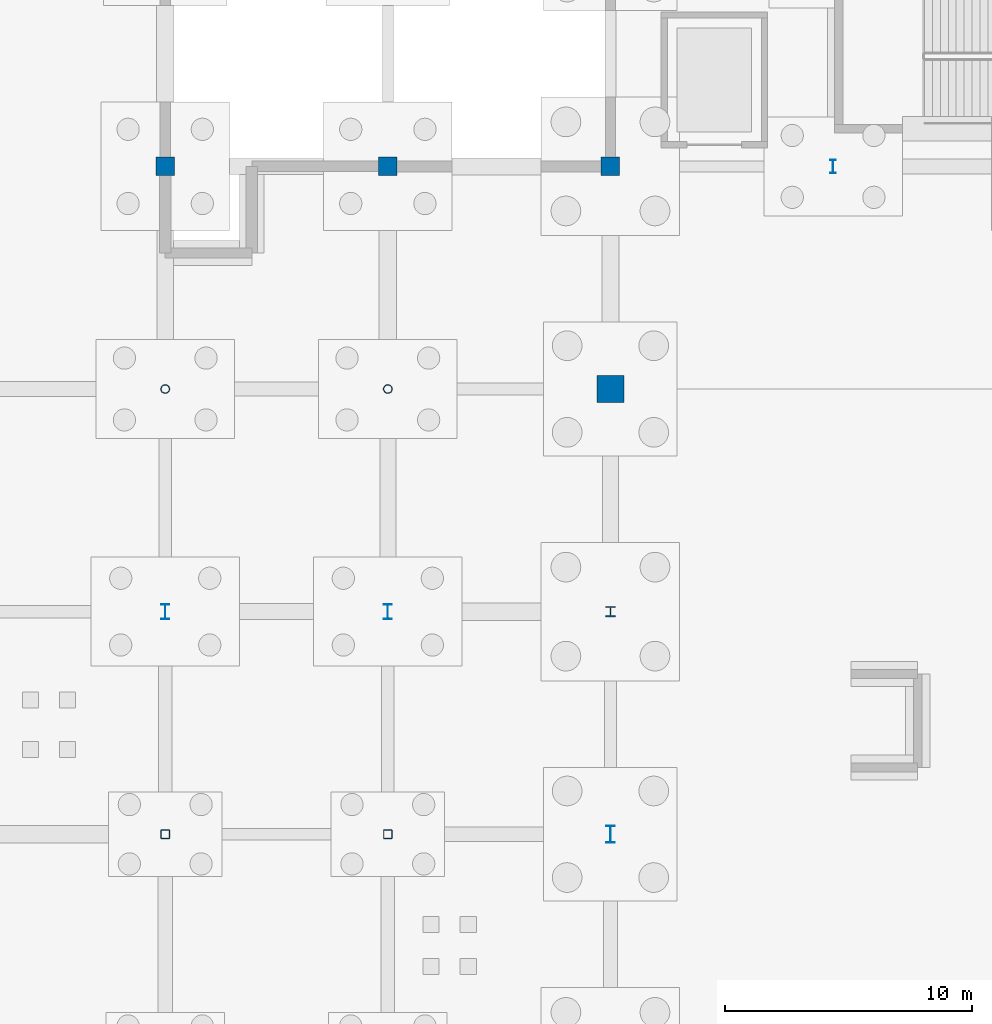
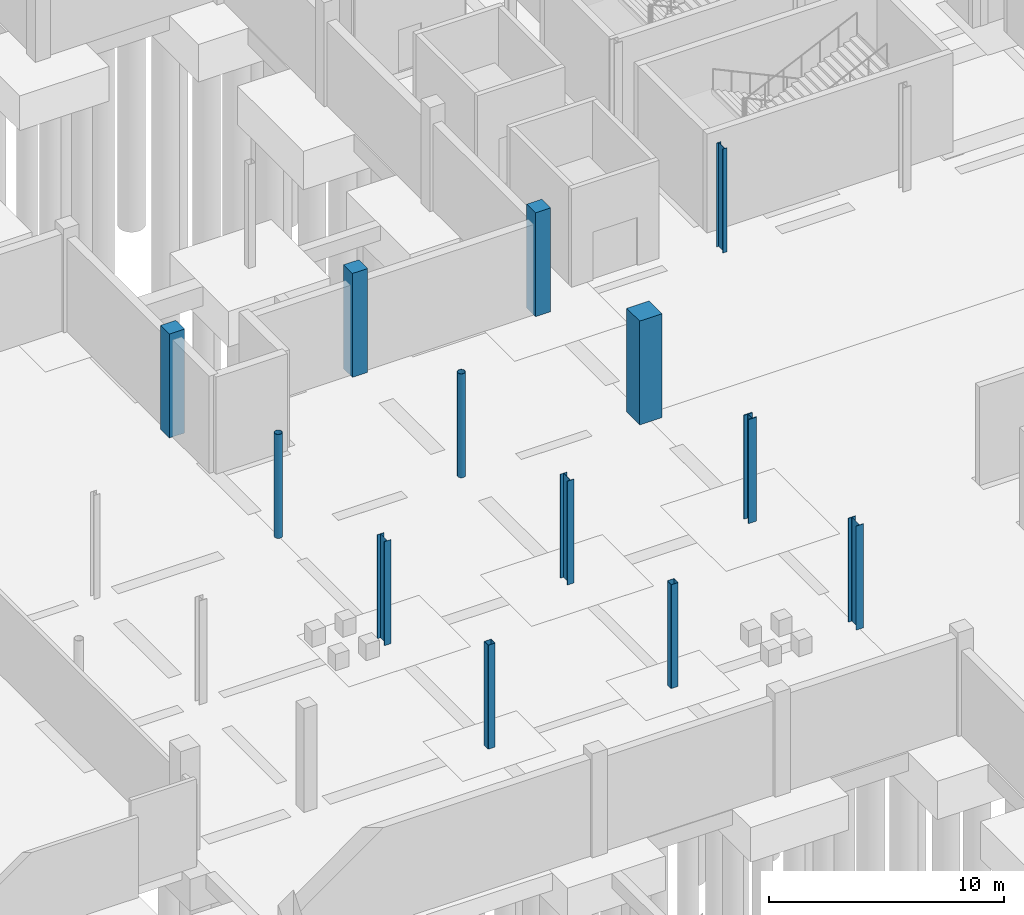
# One storey, part 28 of 58: 13 columns.
"""IFC4 building model written with IfcOpenShell, lengths in metres."""

from ifc_helpers import new_model, si_unit, direction, frame, origin, origin_2d, place, context, subcontext, project, spatial, rectangle, hollow_rectangle, hollow_circle, i_section, extrude, material, material_profile, profile_set, type_object, element, save


model = new_model("IFC4")

# Units and contexts
model_context = context("Model", 3, precision=1e-05, world=origin(), true_north=direction((0.0, 1.0)))
body_context = subcontext(model_context, "Body", "Model", "MODEL_VIEW")
ifc_project = project(units=[si_unit("LENGTHUNIT", "METRE"), si_unit("AREAUNIT", "SQUARE_METRE"), si_unit("VOLUMEUNIT", "CUBIC_METRE"), si_unit("PLANEANGLEUNIT", "RADIAN"), si_unit("MASSUNIT", "GRAM", prefix="KILO")], contexts=[model_context])

# Site, building, storey
site_placement = place(None, origin())
site = spatial("IfcSite", under=ifc_project, at=site_placement, CompositionType="ELEMENT")
building_placement = place(site_placement, origin())
building = spatial("IfcBuilding", under=site, at=building_placement, Name="Qamarlyn Nura Convention Centre", CompositionType="ELEMENT")
storey_placement = place(building_placement, frame((0.0, 0.0, -5.39990234375)))
storey = spatial("IfcBuildingStorey", under=building, at=storey_placement, Name="B01", CompositionType="ELEMENT", Elevation=-5.39990234375)

# Columns
ifc_material_1 = material(Name="Steel ASTM A500 Grade C", Category="steel")
ifc_material_profile_1 = material_profile(ifc_material_1, hollow_rectangle(XDim=0.35009765625, YDim=0.35009765625, WallThickness=0.012451171875, InnerFilletRadius=0.012451171875, OuterFilletRadius=0.02490234375, at=origin_2d()), Name="HSS350X350X12.5")
ifc_profile_set_1 = profile_set([ifc_material_profile_1], Name="Steel ASTM A500 Grade C")
column_type_1 = type_object("IfcColumnType", Name="COL-HSS-2", PredefinedType="COLUMN", material=ifc_profile_set_1)
for number, where, z_axis, x_axis, name in (
    (1, (135.0, 27.0, 0.0), (0.0, 0.0, 1.0), (1.0, 0.0, 0.0), "B01 column 11/D"),
    (2, (144.0, 27.0, 0.0), (0.0, 0.0, 1.0), (1.0, 0.0, 0.0), "B01 column 12/D"),
):
    element("IfcColumn", number, at=place(storey_placement, frame(where, z_axis=z_axis, x_axis=x_axis)), inside=storey, type_object=column_type_1, Name=name, PredefinedType="COLUMN", context=body_context, shape_type="SweptSolid", body=[
        extrude(hollow_rectangle(XDim=0.35009765625, YDim=0.35009765625, WallThickness=0.012451171875, InnerFilletRadius=0.012451171875, OuterFilletRadius=0.02490234375, at=origin_2d()), origin(), (0.0, 0.0, 1.0), 5.39990234375),
    ])
ifc_material_2 = material(Name="Steel ASTM A992", Category="steel")
ifc_material_profile_2 = material_profile(ifc_material_2, i_section(OverallWidth=0.408935546875, OverallDepth=0.425048828125, WebThickness=0.030517578125, FlangeThickness=0.049072265625, FilletRadius=0.02001953125, at=origin_2d()), Name="W360X421")
ifc_profile_set_2 = profile_set([ifc_material_profile_2], Name="Steel ASTM A992")
column_type_2 = type_object("IfcColumnType", Name="COL-MEGA-1", PredefinedType="COLUMN", material=ifc_profile_set_2)
column_1_placement = place(storey_placement, frame((153.0, 36.0, 0.0), z_axis=(0.0, 0.0, 1.0), x_axis=(1.0, 0.0, 0.0)))
element("IfcColumn", 3, at=column_1_placement, inside=storey, type_object=column_type_2, Name="B01 column 13/E", PredefinedType="COLUMN", context=body_context, shape_type="SweptSolid", body=[
    extrude(i_section(OverallWidth=0.408935546875, OverallDepth=0.425048828125, WebThickness=0.030517578125, FlangeThickness=0.049072265625, FilletRadius=0.02001953125, at=origin_2d()), origin(), (0.0, 0.0, 1.0), 5.39990234375),
])
ifc_material_3 = material(Name="Concrete C50/60", Category="concrete")
ifc_material_profile_3 = material_profile(ifc_material_3, rectangle(XDim=1.10009765625, YDim=1.10009765625, at=origin_2d()), Name="RC 1100x1100")
ifc_profile_set_3 = profile_set([ifc_material_profile_3], Name="Concrete C50/60")
column_type_3 = type_object("IfcColumnType", Name="COL-MEGA-2", PredefinedType="COLUMN", material=ifc_profile_set_3)
column_2_placement = place(storey_placement, frame((153.0, 45.0, 0.0), z_axis=(0.0, 0.0, 1.0), x_axis=(1.0, 0.0, 0.0)))
element("IfcColumn", 4, at=column_2_placement, inside=storey, type_object=column_type_3, Name="B01 column 13/F", PredefinedType="COLUMN", context=body_context, shape_type="SweptSolid", body=[
    extrude(rectangle(XDim=1.10009765625, YDim=1.10009765625, at=origin_2d()), origin(), (0.0, 0.0, 1.0), 5.39990234375),
])
ifc_material_profile_4 = material_profile(ifc_material_3, rectangle(XDim=0.75, YDim=0.75, at=origin_2d()), Name="RC 750x750")
ifc_profile_set_4 = profile_set([ifc_material_profile_4], Name="Concrete C50/60")
column_type_4 = type_object("IfcColumnType", Name="COL-SUB-2", PredefinedType="COLUMN", material=ifc_profile_set_4)
for number, where, z_axis, x_axis, name in (
    (5, (135.0, 54.0, 0.0), (0.0, 0.0, 1.0), (1.0, 0.0, 0.0), "B01 column 11/G"),
    (6, (144.0, 54.0, 0.0), (0.0, 0.0, 1.0), (1.0, 0.0, 0.0), "B01 column 12/G"),
    (7, (153.0, 54.0, 0.0), (0.0, 0.0, 1.0), (1.0, 0.0, 0.0), "B01 column 13/G"),
):
    element("IfcColumn", number, at=place(storey_placement, frame(where, z_axis=z_axis, x_axis=x_axis)), inside=storey, type_object=column_type_4, Name=name, PredefinedType="COLUMN", context=body_context, shape_type="SweptSolid", body=[
        extrude(rectangle(XDim=0.75, YDim=0.75, at=origin_2d()), origin(), (0.0, 0.0, 1.0), 5.39990234375),
    ])
ifc_material_4 = material(Name="Pearl-white PVDF steel ASTM A500 Grade C", Category="steel")
ifc_material_profile_5 = material_profile(ifc_material_4, hollow_circle(Radius=0.177734375, WallThickness=0.01611328125, at=origin_2d()), Name="CHS355.6X16")
ifc_profile_set_5 = profile_set([ifc_material_profile_5], Name="Pearl-white PVDF steel ASTM A500 Grade C")
column_type_5 = type_object("IfcColumnType", Name="COL-TUBE-2", PredefinedType="COLUMN", material=ifc_profile_set_5)
for number, where, z_axis, x_axis, name in (
    (8, (135.0, 45.0, 0.0), (0.0, 0.0, 1.0), (1.0, 0.0, 0.0), "B01 column 11/F"),
    (9, (144.0, 45.0, 0.0), (0.0, 0.0, 1.0), (1.0, 0.0, 0.0), "B01 column 12/F"),
):
    element("IfcColumn", number, at=place(storey_placement, frame(where, z_axis=z_axis, x_axis=x_axis)), inside=storey, type_object=column_type_5, Name=name, PredefinedType="COLUMN", context=body_context, shape_type="SweptSolid", body=[
        extrude(hollow_circle(Radius=0.177734375, WallThickness=0.01611328125, at=origin_2d()), origin(), (0.0, 0.0, 1.0), 5.39990234375),
    ])
ifc_material_profile_6 = material_profile(ifc_material_2, i_section(OverallWidth=0.35498046875, OverallDepth=0.695068359375, WebThickness=0.015380859375, FlangeThickness=0.02490234375, FilletRadius=0.01806640625, at=origin_2d()), Name="W690X217")
ifc_profile_set_6 = profile_set([ifc_material_profile_6], Name="Steel ASTM A992")
column_type_6 = type_object("IfcColumnType", Name="COL-WING-5", PredefinedType="COLUMN", material=ifc_profile_set_6)
column_3_placement = place(storey_placement, frame((153.0, 27.0, 0.0), z_axis=(0.0, 0.0, 1.0), x_axis=(1.0, 0.0, 0.0)))
element("IfcColumn", 10, at=column_3_placement, inside=storey, type_object=column_type_6, Name="B01 column 13/D", PredefinedType="COLUMN", context=body_context, shape_type="SweptSolid", body=[
    extrude(i_section(OverallWidth=0.35498046875, OverallDepth=0.695068359375, WebThickness=0.015380859375, FlangeThickness=0.02490234375, FilletRadius=0.01806640625, at=origin_2d()), origin(), (0.0, 0.0, 1.0), 5.39990234375),
])
ifc_material_profile_7 = material_profile(ifc_material_2, i_section(OverallWidth=0.323974609375, OverallDepth=0.611083984375, WebThickness=0.0126953125, FlangeThickness=0.01904296875, FilletRadius=0.01611328125, at=origin_2d()), Name="W610X155")
ifc_profile_set_7 = profile_set([ifc_material_profile_7], Name="Steel ASTM A992")
column_type_7 = type_object("IfcColumnType", Name="COL-WING-6", PredefinedType="COLUMN", material=ifc_profile_set_7)
for number, where, z_axis, x_axis, name in (
    (11, (135.0, 36.0, 0.0), (0.0, 0.0, 1.0), (1.0, 0.0, 0.0), "B01 column 11/E"),
    (12, (144.0, 36.0, 0.0), (0.0, 0.0, 1.0), (1.0, 0.0, 0.0), "B01 column 12/E"),
):
    element("IfcColumn", number, at=place(storey_placement, frame(where, z_axis=z_axis, x_axis=x_axis)), inside=storey, type_object=column_type_7, Name=name, PredefinedType="COLUMN", context=body_context, shape_type="SweptSolid", body=[
        extrude(i_section(OverallWidth=0.323974609375, OverallDepth=0.611083984375, WebThickness=0.0126953125, FlangeThickness=0.01904296875, FilletRadius=0.01611328125, at=origin_2d()), origin(), (0.0, 0.0, 1.0), 5.39990234375),
    ])
ifc_material_profile_8 = material_profile(ifc_material_2, i_section(OverallWidth=0.2109375, OverallDepth=0.5390625, WebThickness=0.01171875, FlangeThickness=0.018798828125, FilletRadius=0.013916015625, at=origin_2d()), Name="W530X109")
ifc_profile_set_8 = profile_set([ifc_material_profile_8], Name="Steel ASTM A992")
column_type_8 = type_object("IfcColumnType", Name="COL-WING-7", PredefinedType="COLUMN", material=ifc_profile_set_8)
column_4_placement = place(storey_placement, frame((162.0, 54.0, 0.0), z_axis=(0.0, 0.0, 1.0), x_axis=(1.0, 0.0, 0.0)))
element("IfcColumn", 13, at=column_4_placement, inside=storey, type_object=column_type_8, Name="B01 column 14/G", PredefinedType="COLUMN", context=body_context, shape_type="SweptSolid", body=[
    extrude(i_section(OverallWidth=0.2109375, OverallDepth=0.5390625, WebThickness=0.01171875, FlangeThickness=0.018798828125, FilletRadius=0.013916015625, at=origin_2d()), origin(), (0.0, 0.0, 1.0), 5.39990234375),
])

save(model, "model.ifc")
